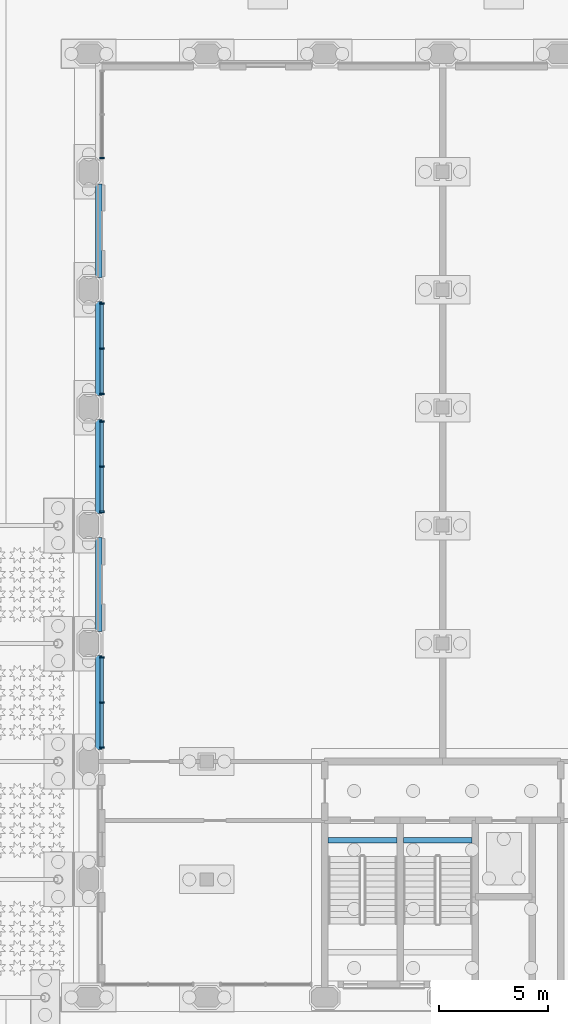
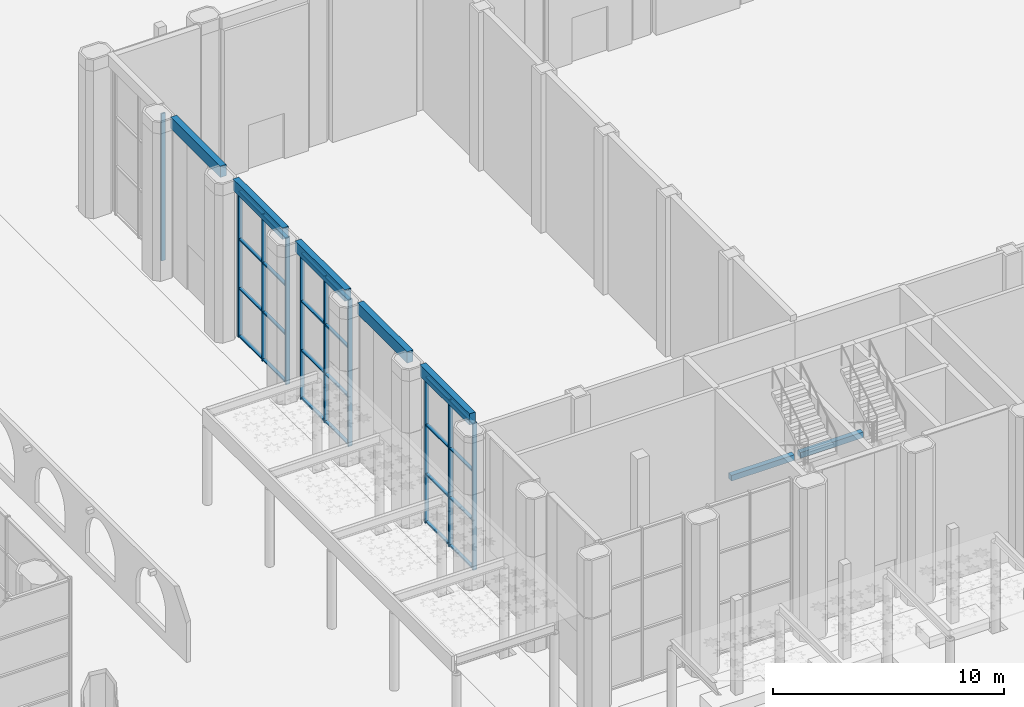
# One storey, part 13 of 54: 34 members, 7 beams, 4 elements without a shape of their own.
"""IFC4 building model written with IfcOpenShell, lengths in metres."""

from ifc_helpers import new_model, si_unit, direction, frame, origin, origin_2d, place, context, subcontext, project, spatial, rectangle, extrude, material, material_profile, profile_set, type_object, element, aggregate, save


model = new_model("IFC4")

# Units and contexts
model_context = context("Model", 3, precision=1e-05, world=origin(), true_north=direction((0.0, 1.0)))
body_context = subcontext(model_context, "Body", "Model", "MODEL_VIEW")
ifc_project = project(units=[si_unit("LENGTHUNIT", "METRE"), si_unit("AREAUNIT", "SQUARE_METRE"), si_unit("VOLUMEUNIT", "CUBIC_METRE"), si_unit("PLANEANGLEUNIT", "RADIAN"), si_unit("MASSUNIT", "GRAM", prefix="KILO")], contexts=[model_context])

# Site, building, storey
site_placement = place(None, origin())
site = spatial("IfcSite", under=ifc_project, at=site_placement, CompositionType="ELEMENT")
building_placement = place(site_placement, origin())
building = spatial("IfcBuilding", under=site, at=building_placement, Name="Tabaq Tower and Sports Hall", CompositionType="ELEMENT")
storey_placement = place(building_placement, origin())
storey = spatial("IfcBuildingStorey", under=building, at=storey_placement, Name="L00", CompositionType="ELEMENT", Elevation=0.0)

# Curtain wall, members
ifc_material_1 = material(Name="Aluminium alloy 6063-T6 framed glazing", Category="aluminium")
curtain_wall_type = type_object("IfcCurtainWallType", Name="CW6 curtain wall", PredefinedType="USERDEFINED", material=ifc_material_1)
curtain_wall_1_placement = place(storey_placement, origin())
curtain_wall_1 = element("IfcCurtainWall", 1, at=curtain_wall_1_placement, inside=storey, type_object=curtain_wall_type, Name="L00 W hall glazing run", ObjectType="HALL FACADE WALL", PredefinedType="USERDEFINED")
ifc_material_2 = material(Name="Aluminium alloy 6063-T6", Category="aluminium")
ifc_material_profile_1 = material_profile(ifc_material_2, rectangle(XDim=0.199951171875, YDim=0.070068359375, at=origin_2d()), Name="MULLION 200x70")
ifc_profile_set_1 = profile_set([ifc_material_profile_1], Name="Aluminium alloy 6063-T6")
member_type_1 = type_object("IfcMemberType", Name="CW6 mullion 200x70", PredefinedType="MULLION", material=ifc_profile_set_1)
member_1_placement = place(storey_placement, frame((65.39990234375, 11.43505859375, 0.0), z_axis=(0.0, 0.0, 1.0), x_axis=(-1.0, 0.0, 0.0)))
member_1 = element("IfcMember", 2, at=member_1_placement, type_object=member_type_1, Name="CW6 mullion 1", PredefinedType="MULLION", context=body_context, shape_type="SweptSolid", body=[
    extrude(rectangle(XDim=0.199951171875, YDim=0.070068359375, at=origin_2d()), origin(), (0.0, 0.0, 1.0), 7.800048828125),
])
member_2_placement = place(storey_placement, frame((65.39990234375, 13.5, 0.0), z_axis=(0.0, 0.0, 1.0), x_axis=(-1.0, 0.0, 0.0)))
member_2 = element("IfcMember", 3, at=member_2_placement, type_object=member_type_1, Name="CW6 mullion 2", PredefinedType="MULLION", context=body_context, shape_type="SweptSolid", body=[
    extrude(rectangle(XDim=0.199951171875, YDim=0.070068359375, at=origin_2d()), origin(), (0.0, 0.0, 1.0), 7.800048828125),
])
member_3_placement = place(storey_placement, frame((65.39990234375, 15.56494140625, 0.0), z_axis=(0.0, 0.0, 1.0), x_axis=(-1.0, 0.0, 0.0)))
member_3 = element("IfcMember", 4, at=member_3_placement, type_object=member_type_1, Name="CW6 mullion 3", PredefinedType="MULLION", context=body_context, shape_type="SweptSolid", body=[
    extrude(rectangle(XDim=0.199951171875, YDim=0.070068359375, at=origin_2d()), origin(), (0.0, 0.0, 1.0), 7.800048828125),
])

curtain_wall_2_placement = place(storey_placement, origin())
curtain_wall_2 = element("IfcCurtainWall", 5, at=curtain_wall_2_placement, inside=storey, type_object=curtain_wall_type, Name="L00 W hall glazing run", ObjectType="HALL FACADE WALL", PredefinedType="USERDEFINED")
member_4_placement = place(storey_placement, frame((65.39990234375, 22.235107421875, 0.0), z_axis=(0.0, 0.0, 1.0), x_axis=(-1.0, 0.0, 0.0)))
member_4 = element("IfcMember", 6, at=member_4_placement, type_object=member_type_1, Name="CW6 mullion 1", PredefinedType="MULLION", context=body_context, shape_type="SweptSolid", body=[
    extrude(rectangle(XDim=0.199951171875, YDim=0.070068359375, at=origin_2d()), origin(), (0.0, 0.0, 1.0), 7.800048828125),
])
member_5_placement = place(storey_placement, frame((65.39990234375, 24.300048828125, 0.0), z_axis=(0.0, 0.0, 1.0), x_axis=(-1.0, 0.0, 0.0)))
member_5 = element("IfcMember", 7, at=member_5_placement, type_object=member_type_1, Name="CW6 mullion 2", PredefinedType="MULLION", context=body_context, shape_type="SweptSolid", body=[
    extrude(rectangle(XDim=0.199951171875, YDim=0.070068359375, at=origin_2d()), origin(), (0.0, 0.0, 1.0), 7.800048828125),
])
member_6_placement = place(storey_placement, frame((65.39990234375, 26.364990234375, 0.0), z_axis=(0.0, 0.0, 1.0), x_axis=(-1.0, 0.0, 0.0)))
member_6 = element("IfcMember", 8, at=member_6_placement, type_object=member_type_1, Name="CW6 mullion 3", PredefinedType="MULLION", context=body_context, shape_type="SweptSolid", body=[
    extrude(rectangle(XDim=0.199951171875, YDim=0.070068359375, at=origin_2d()), origin(), (0.0, 0.0, 1.0), 7.800048828125),
])

curtain_wall_3_placement = place(storey_placement, origin())
curtain_wall_3 = element("IfcCurtainWall", 9, at=curtain_wall_3_placement, inside=storey, type_object=curtain_wall_type, Name="L00 W hall glazing run", ObjectType="HALL FACADE WALL", PredefinedType="USERDEFINED")
member_7_placement = place(storey_placement, frame((65.39990234375, 27.635009765625, 0.0), z_axis=(0.0, 0.0, 1.0), x_axis=(-1.0, 0.0, 0.0)))
member_7 = element("IfcMember", 10, at=member_7_placement, type_object=member_type_1, Name="CW6 mullion 1", PredefinedType="MULLION", context=body_context, shape_type="SweptSolid", body=[
    extrude(rectangle(XDim=0.199951171875, YDim=0.070068359375, at=origin_2d()), origin(), (0.0, 0.0, 1.0), 7.800048828125),
])
member_8_placement = place(storey_placement, frame((65.39990234375, 29.699951171875, 0.0), z_axis=(0.0, 0.0, 1.0), x_axis=(-1.0, 0.0, 0.0)))
member_8 = element("IfcMember", 11, at=member_8_placement, type_object=member_type_1, Name="CW6 mullion 2", PredefinedType="MULLION", context=body_context, shape_type="SweptSolid", body=[
    extrude(rectangle(XDim=0.199951171875, YDim=0.070068359375, at=origin_2d()), origin(), (0.0, 0.0, 1.0), 7.800048828125),
])
member_9_placement = place(storey_placement, frame((65.39990234375, 31.764892578125, 0.0), z_axis=(0.0, 0.0, 1.0), x_axis=(-1.0, 0.0, 0.0)))
member_9 = element("IfcMember", 12, at=member_9_placement, type_object=member_type_1, Name="CW6 mullion 3", PredefinedType="MULLION", context=body_context, shape_type="SweptSolid", body=[
    extrude(rectangle(XDim=0.199951171875, YDim=0.070068359375, at=origin_2d()), origin(), (0.0, 0.0, 1.0), 7.800048828125),
])

# Curtain wall, member
curtain_wall_4_placement = place(storey_placement, origin())
curtain_wall_4 = element("IfcCurtainWall", 13, at=curtain_wall_4_placement, inside=storey, type_object=curtain_wall_type, Name="L00 W hall glazing run", ObjectType="HALL FACADE WALL", PredefinedType="USERDEFINED")
member_10_placement = place(storey_placement, frame((65.39990234375, 38.43505859375, 0.0), z_axis=(0.0, 0.0, 1.0), x_axis=(-1.0, 0.0, 0.0)))
member_10 = element("IfcMember", 14, at=member_10_placement, type_object=member_type_1, Name="CW6 mullion 1", PredefinedType="MULLION", context=body_context, shape_type="SweptSolid", body=[
    extrude(rectangle(XDim=0.199951171875, YDim=0.070068359375, at=origin_2d()), origin(), (0.0, 0.0, 1.0), 7.800048828125),
])
aggregate(curtain_wall_4, [member_10])

# Member
ifc_material_3 = material(Name="Aluminium alloy 6063-T6", Category="aluminium")
ifc_material_profile_2 = material_profile(ifc_material_3, rectangle(XDim=0.159912109375, YDim=0.070068359375, at=origin_2d()), Name="TRANSOM 160x70")
ifc_profile_set_2 = profile_set([ifc_material_profile_2], Name="Aluminium alloy 6063-T6")
member_type_2 = type_object("IfcMemberType", Name="CW6 transom 160x70", PredefinedType="USERDEFINED", material=ifc_profile_set_2)
member_11_placement = place(storey_placement, frame((65.39990234375, 11.469970703125, 0.080078125), z_axis=(0.0, 1.0, 0.0), x_axis=(-1.0, 0.0, 0.0)))
member_11 = element("IfcMember", 15, at=member_11_placement, type_object=member_type_2, Name="CW6 transom 1.1", ObjectType="TRANSOM", PredefinedType="USERDEFINED", context=body_context, shape_type="SweptSolid", body=[
    extrude(rectangle(XDim=0.159912109375, YDim=0.070068359375, at=origin_2d()), origin(), (0.0, 0.0, 1.0), 1.9951171875),
])

member_12_placement = place(storey_placement, frame((65.39990234375, 11.469970703125, 2.60009765625), z_axis=(0.0, 1.0, 0.0), x_axis=(-1.0, 0.0, 0.0)))
member_12 = element("IfcMember", 16, at=member_12_placement, type_object=member_type_2, Name="CW6 transom 1.2", ObjectType="TRANSOM", PredefinedType="USERDEFINED", context=body_context, shape_type="SweptSolid", body=[
    extrude(rectangle(XDim=0.159912109375, YDim=0.070068359375, at=origin_2d()), origin(), (0.0, 0.0, 1.0), 1.9951171875),
])

member_13_placement = place(storey_placement, frame((65.39990234375, 11.469970703125, 5.199951171875), z_axis=(0.0, 1.0, 0.0), x_axis=(-1.0, 0.0, 0.0)))
member_13 = element("IfcMember", 17, at=member_13_placement, type_object=member_type_2, Name="CW6 transom 1.3", ObjectType="TRANSOM", PredefinedType="USERDEFINED", context=body_context, shape_type="SweptSolid", body=[
    extrude(rectangle(XDim=0.159912109375, YDim=0.070068359375, at=origin_2d()), origin(), (0.0, 0.0, 1.0), 1.9951171875),
])

member_14_placement = place(storey_placement, frame((65.39990234375, 11.469970703125, 7.719970703125), z_axis=(0.0, 1.0, 0.0), x_axis=(-1.0, 0.0, 0.0)))
member_14 = element("IfcMember", 18, at=member_14_placement, type_object=member_type_2, Name="CW6 transom 1.4", ObjectType="TRANSOM", PredefinedType="USERDEFINED", context=body_context, shape_type="SweptSolid", body=[
    extrude(rectangle(XDim=0.159912109375, YDim=0.070068359375, at=origin_2d()), origin(), (0.0, 0.0, 1.0), 1.9951171875),
])

member_15_placement = place(storey_placement, frame((65.39990234375, 13.534912109375, 0.080078125), z_axis=(0.0, 1.0, 0.0), x_axis=(-1.0, 0.0, 0.0)))
member_15 = element("IfcMember", 19, at=member_15_placement, type_object=member_type_2, Name="CW6 transom 2.1", ObjectType="TRANSOM", PredefinedType="USERDEFINED", context=body_context, shape_type="SweptSolid", body=[
    extrude(rectangle(XDim=0.159912109375, YDim=0.070068359375, at=origin_2d()), origin(), (0.0, 0.0, 1.0), 1.9951171875),
])

member_16_placement = place(storey_placement, frame((65.39990234375, 13.534912109375, 2.60009765625), z_axis=(0.0, 1.0, 0.0), x_axis=(-1.0, 0.0, 0.0)))
member_16 = element("IfcMember", 20, at=member_16_placement, type_object=member_type_2, Name="CW6 transom 2.2", ObjectType="TRANSOM", PredefinedType="USERDEFINED", context=body_context, shape_type="SweptSolid", body=[
    extrude(rectangle(XDim=0.159912109375, YDim=0.070068359375, at=origin_2d()), origin(), (0.0, 0.0, 1.0), 1.9951171875),
])

member_17_placement = place(storey_placement, frame((65.39990234375, 13.534912109375, 5.199951171875), z_axis=(0.0, 1.0, 0.0), x_axis=(-1.0, 0.0, 0.0)))
member_17 = element("IfcMember", 21, at=member_17_placement, type_object=member_type_2, Name="CW6 transom 2.3", ObjectType="TRANSOM", PredefinedType="USERDEFINED", context=body_context, shape_type="SweptSolid", body=[
    extrude(rectangle(XDim=0.159912109375, YDim=0.070068359375, at=origin_2d()), origin(), (0.0, 0.0, 1.0), 1.9951171875),
])

member_18_placement = place(storey_placement, frame((65.39990234375, 13.534912109375, 7.719970703125), z_axis=(0.0, 1.0, 0.0), x_axis=(-1.0, 0.0, 0.0)))
member_18 = element("IfcMember", 22, at=member_18_placement, type_object=member_type_2, Name="CW6 transom 2.4", ObjectType="TRANSOM", PredefinedType="USERDEFINED", context=body_context, shape_type="SweptSolid", body=[
    extrude(rectangle(XDim=0.159912109375, YDim=0.070068359375, at=origin_2d()), origin(), (0.0, 0.0, 1.0), 1.9951171875),
])

aggregate(curtain_wall_1, [member_1, member_2, member_3, member_11, member_12, member_13, member_14, member_15, member_16, member_17, member_18])

member_19_placement = place(storey_placement, frame((65.39990234375, 22.27001953125, 0.080078125), z_axis=(0.0, 1.0, 0.0), x_axis=(-1.0, 0.0, 0.0)))
member_19 = element("IfcMember", 23, at=member_19_placement, type_object=member_type_2, Name="CW6 transom 1.1", ObjectType="TRANSOM", PredefinedType="USERDEFINED", context=body_context, shape_type="SweptSolid", body=[
    extrude(rectangle(XDim=0.159912109375, YDim=0.070068359375, at=origin_2d()), origin(), (0.0, 0.0, 1.0), 1.994873046875),
])

member_20_placement = place(storey_placement, frame((65.39990234375, 22.27001953125, 2.60009765625), z_axis=(0.0, 1.0, 0.0), x_axis=(-1.0, 0.0, 0.0)))
member_20 = element("IfcMember", 24, at=member_20_placement, type_object=member_type_2, Name="CW6 transom 1.2", ObjectType="TRANSOM", PredefinedType="USERDEFINED", context=body_context, shape_type="SweptSolid", body=[
    extrude(rectangle(XDim=0.159912109375, YDim=0.070068359375, at=origin_2d()), origin(), (0.0, 0.0, 1.0), 1.994873046875),
])

member_21_placement = place(storey_placement, frame((65.39990234375, 22.27001953125, 5.199951171875), z_axis=(0.0, 1.0, 0.0), x_axis=(-1.0, 0.0, 0.0)))
member_21 = element("IfcMember", 25, at=member_21_placement, type_object=member_type_2, Name="CW6 transom 1.3", ObjectType="TRANSOM", PredefinedType="USERDEFINED", context=body_context, shape_type="SweptSolid", body=[
    extrude(rectangle(XDim=0.159912109375, YDim=0.070068359375, at=origin_2d()), origin(), (0.0, 0.0, 1.0), 1.994873046875),
])

member_22_placement = place(storey_placement, frame((65.39990234375, 22.27001953125, 7.719970703125), z_axis=(0.0, 1.0, 0.0), x_axis=(-1.0, 0.0, 0.0)))
member_22 = element("IfcMember", 26, at=member_22_placement, type_object=member_type_2, Name="CW6 transom 1.4", ObjectType="TRANSOM", PredefinedType="USERDEFINED", context=body_context, shape_type="SweptSolid", body=[
    extrude(rectangle(XDim=0.159912109375, YDim=0.070068359375, at=origin_2d()), origin(), (0.0, 0.0, 1.0), 1.994873046875),
])

member_23_placement = place(storey_placement, frame((65.39990234375, 24.3349609375, 0.080078125), z_axis=(0.0, 1.0, 0.0), x_axis=(-1.0, 0.0, 0.0)))
member_23 = element("IfcMember", 27, at=member_23_placement, type_object=member_type_2, Name="CW6 transom 2.1", ObjectType="TRANSOM", PredefinedType="USERDEFINED", context=body_context, shape_type="SweptSolid", body=[
    extrude(rectangle(XDim=0.159912109375, YDim=0.070068359375, at=origin_2d()), origin(), (0.0, 0.0, 1.0), 1.9951171875),
])

member_24_placement = place(storey_placement, frame((65.39990234375, 24.3349609375, 2.60009765625), z_axis=(0.0, 1.0, 0.0), x_axis=(-1.0, 0.0, 0.0)))
member_24 = element("IfcMember", 28, at=member_24_placement, type_object=member_type_2, Name="CW6 transom 2.2", ObjectType="TRANSOM", PredefinedType="USERDEFINED", context=body_context, shape_type="SweptSolid", body=[
    extrude(rectangle(XDim=0.159912109375, YDim=0.070068359375, at=origin_2d()), origin(), (0.0, 0.0, 1.0), 1.9951171875),
])

member_25_placement = place(storey_placement, frame((65.39990234375, 24.3349609375, 5.199951171875), z_axis=(0.0, 1.0, 0.0), x_axis=(-1.0, 0.0, 0.0)))
member_25 = element("IfcMember", 29, at=member_25_placement, type_object=member_type_2, Name="CW6 transom 2.3", ObjectType="TRANSOM", PredefinedType="USERDEFINED", context=body_context, shape_type="SweptSolid", body=[
    extrude(rectangle(XDim=0.159912109375, YDim=0.070068359375, at=origin_2d()), origin(), (0.0, 0.0, 1.0), 1.9951171875),
])

member_26_placement = place(storey_placement, frame((65.39990234375, 24.3349609375, 7.719970703125), z_axis=(0.0, 1.0, 0.0), x_axis=(-1.0, 0.0, 0.0)))
member_26 = element("IfcMember", 30, at=member_26_placement, type_object=member_type_2, Name="CW6 transom 2.4", ObjectType="TRANSOM", PredefinedType="USERDEFINED", context=body_context, shape_type="SweptSolid", body=[
    extrude(rectangle(XDim=0.159912109375, YDim=0.070068359375, at=origin_2d()), origin(), (0.0, 0.0, 1.0), 1.9951171875),
])

aggregate(curtain_wall_2, [member_4, member_5, member_6, member_19, member_20, member_21, member_22, member_23, member_24, member_25, member_26])

member_27_placement = place(storey_placement, frame((65.39990234375, 27.669921875, 0.080078125), z_axis=(0.0, 1.0, 0.0), x_axis=(-1.0, 0.0, 0.0)))
member_27 = element("IfcMember", 31, at=member_27_placement, type_object=member_type_2, Name="CW6 transom 1.1", ObjectType="TRANSOM", PredefinedType="USERDEFINED", context=body_context, shape_type="SweptSolid", body=[
    extrude(rectangle(XDim=0.159912109375, YDim=0.070068359375, at=origin_2d()), origin(), (0.0, 0.0, 1.0), 1.9951171875),
])

member_28_placement = place(storey_placement, frame((65.39990234375, 27.669921875, 2.60009765625), z_axis=(0.0, 1.0, 0.0), x_axis=(-1.0, 0.0, 0.0)))
member_28 = element("IfcMember", 32, at=member_28_placement, type_object=member_type_2, Name="CW6 transom 1.2", ObjectType="TRANSOM", PredefinedType="USERDEFINED", context=body_context, shape_type="SweptSolid", body=[
    extrude(rectangle(XDim=0.159912109375, YDim=0.070068359375, at=origin_2d()), origin(), (0.0, 0.0, 1.0), 1.9951171875),
])

member_29_placement = place(storey_placement, frame((65.39990234375, 27.669921875, 5.199951171875), z_axis=(0.0, 1.0, 0.0), x_axis=(-1.0, 0.0, 0.0)))
member_29 = element("IfcMember", 33, at=member_29_placement, type_object=member_type_2, Name="CW6 transom 1.3", ObjectType="TRANSOM", PredefinedType="USERDEFINED", context=body_context, shape_type="SweptSolid", body=[
    extrude(rectangle(XDim=0.159912109375, YDim=0.070068359375, at=origin_2d()), origin(), (0.0, 0.0, 1.0), 1.9951171875),
])

member_30_placement = place(storey_placement, frame((65.39990234375, 27.669921875, 7.719970703125), z_axis=(0.0, 1.0, 0.0), x_axis=(-1.0, 0.0, 0.0)))
member_30 = element("IfcMember", 34, at=member_30_placement, type_object=member_type_2, Name="CW6 transom 1.4", ObjectType="TRANSOM", PredefinedType="USERDEFINED", context=body_context, shape_type="SweptSolid", body=[
    extrude(rectangle(XDim=0.159912109375, YDim=0.070068359375, at=origin_2d()), origin(), (0.0, 0.0, 1.0), 1.9951171875),
])

member_31_placement = place(storey_placement, frame((65.39990234375, 29.735107421875, 0.080078125), z_axis=(0.0, 1.0, 0.0), x_axis=(-1.0, 0.0, 0.0)))
member_31 = element("IfcMember", 35, at=member_31_placement, type_object=member_type_2, Name="CW6 transom 2.1", ObjectType="TRANSOM", PredefinedType="USERDEFINED", context=body_context, shape_type="SweptSolid", body=[
    extrude(rectangle(XDim=0.159912109375, YDim=0.070068359375, at=origin_2d()), origin(), (0.0, 0.0, 1.0), 1.994873046875),
])

member_32_placement = place(storey_placement, frame((65.39990234375, 29.735107421875, 2.60009765625), z_axis=(0.0, 1.0, 0.0), x_axis=(-1.0, 0.0, 0.0)))
member_32 = element("IfcMember", 36, at=member_32_placement, type_object=member_type_2, Name="CW6 transom 2.2", ObjectType="TRANSOM", PredefinedType="USERDEFINED", context=body_context, shape_type="SweptSolid", body=[
    extrude(rectangle(XDim=0.159912109375, YDim=0.070068359375, at=origin_2d()), origin(), (0.0, 0.0, 1.0), 1.994873046875),
])

member_33_placement = place(storey_placement, frame((65.39990234375, 29.735107421875, 5.199951171875), z_axis=(0.0, 1.0, 0.0), x_axis=(-1.0, 0.0, 0.0)))
member_33 = element("IfcMember", 37, at=member_33_placement, type_object=member_type_2, Name="CW6 transom 2.3", ObjectType="TRANSOM", PredefinedType="USERDEFINED", context=body_context, shape_type="SweptSolid", body=[
    extrude(rectangle(XDim=0.159912109375, YDim=0.070068359375, at=origin_2d()), origin(), (0.0, 0.0, 1.0), 1.994873046875),
])

member_34_placement = place(storey_placement, frame((65.39990234375, 29.735107421875, 7.719970703125), z_axis=(0.0, 1.0, 0.0), x_axis=(-1.0, 0.0, 0.0)))
member_34 = element("IfcMember", 38, at=member_34_placement, type_object=member_type_2, Name="CW6 transom 2.4", ObjectType="TRANSOM", PredefinedType="USERDEFINED", context=body_context, shape_type="SweptSolid", body=[
    extrude(rectangle(XDim=0.159912109375, YDim=0.070068359375, at=origin_2d()), origin(), (0.0, 0.0, 1.0), 1.994873046875),
])

aggregate(curtain_wall_3, [member_7, member_8, member_9, member_27, member_28, member_29, member_30, member_31, member_32, member_33, member_34])

# Beams
ifc_material_4 = material(Name="Concrete C50/60", Category="concrete")
ifc_material_profile_3 = material_profile(ifc_material_4, rectangle(XDim=0.300048828125, YDim=0.60009765625, at=origin_2d()), Name="RC 300x600")
ifc_profile_set_3 = profile_set([ifc_material_profile_3], Name="Concrete C50/60")
beam_type_1 = type_object("IfcBeamType", Name="HALL SPANDREL BEAM RC 300x600", PredefinedType="BEAM", material=ifc_profile_set_3)
beam_1_placement = place(storey_placement, frame((65.25, 11.35009765625, 8.10009765625), z_axis=(0.0, 1.0, 0.0), x_axis=(-1.0, 0.0, 0.0)))
element("IfcBeam", 39, at=beam_1_placement, inside=storey, type_object=beam_type_1, Name="Spandrel beam W02", PredefinedType="BEAM", context=body_context, shape_type="SweptSolid", body=[
    extrude(rectangle(XDim=0.300048828125, YDim=0.60009765625, at=origin_2d()), origin(), (0.0, 0.0, 1.0), 4.2998046875),
])
for number, where, z_axis, x_axis, name in (
    (40, (65.25, 16.75, 8.10009765625), (0.0, 1.0, 0.0), (-1.0, 0.0, 0.0), "Spandrel beam W03"),
    (41, (65.25, 22.14990234375, 8.10009765625), (0.0, 1.0, 0.0), (-1.0, 0.0, 0.0), "Spandrel beam W04"),
    (42, (65.25, 27.550048828125, 8.10009765625), (0.0, 1.0, 0.0), (-1.0, 0.0, 0.0), "Spandrel beam W05"),
    (43, (65.25, 32.949951171875, 8.10009765625), (0.0, 1.0, 0.0), (-1.0, 0.0, 0.0), "Spandrel beam W06"),
):
    element("IfcBeam", number, at=place(storey_placement, frame(where, z_axis=z_axis, x_axis=x_axis)), inside=storey, type_object=beam_type_1, Name=name, PredefinedType="BEAM", context=body_context, shape_type="SweptSolid", body=[
        extrude(rectangle(XDim=0.300048828125, YDim=0.60009765625, at=origin_2d()), origin(), (0.0, 0.0, 1.0), 4.300048828125),
    ])
ifc_material_5 = material(Name="Concrete C50/60", Category="concrete")
ifc_material_profile_4 = material_profile(ifc_material_5, rectangle(XDim=0.25, YDim=0.300048828125, at=origin_2d()), Name="RC 250x300")
ifc_profile_set_4 = profile_set([ifc_material_profile_4], Name="Concrete C50/60")
beam_type_2 = type_object("IfcBeamType", Name="HALL STAIR LANDING BEAM 250x300", PredefinedType="BEAM", material=ifc_profile_set_4)
beam_2_placement = place(storey_placement, frame((75.75, 7.199951171875, 3.85009765625), z_axis=(1.0, 0.0, 0.0), x_axis=(0.0, 1.0, 0.0)))
element("IfcBeam", 44, at=beam_2_placement, inside=storey, type_object=beam_type_2, Name="L00 ST-H1 landing beam 2", PredefinedType="BEAM", context=body_context, shape_type="SweptSolid", body=[
    extrude(rectangle(XDim=0.25, YDim=0.300048828125, at=origin_2d()), origin(), (0.0, 0.0, 1.0), 3.14990234375),
])
beam_3_placement = place(storey_placement, frame((79.199951171875, 7.199951171875, 3.85009765625), z_axis=(1.0, 0.0, 0.0), x_axis=(0.0, 1.0, 0.0)))
element("IfcBeam", 45, at=beam_3_placement, inside=storey, type_object=beam_type_2, Name="L00 ST-H2 landing beam 2", PredefinedType="BEAM", context=body_context, shape_type="SweptSolid", body=[
    extrude(rectangle(XDim=0.25, YDim=0.300048828125, at=origin_2d()), origin(), (0.0, 0.0, 1.0), 3.150146484375),
])

save(model, "model.ifc")
